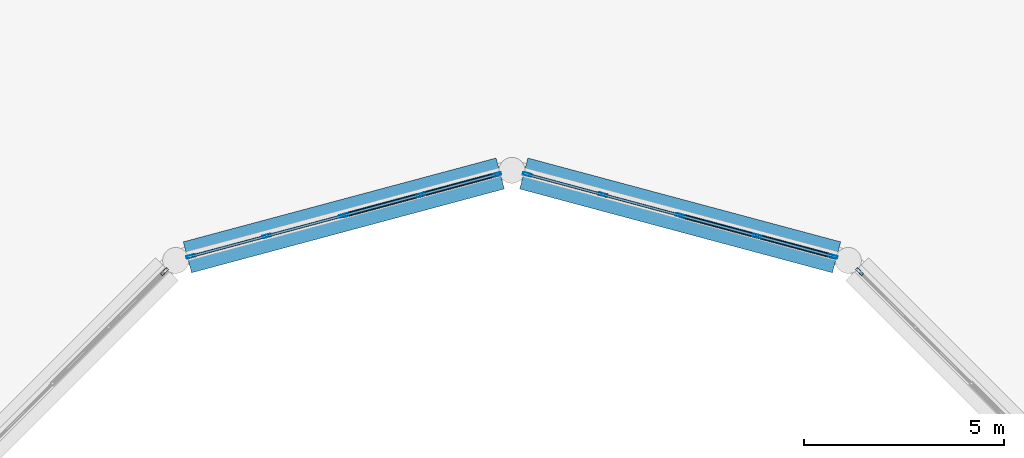
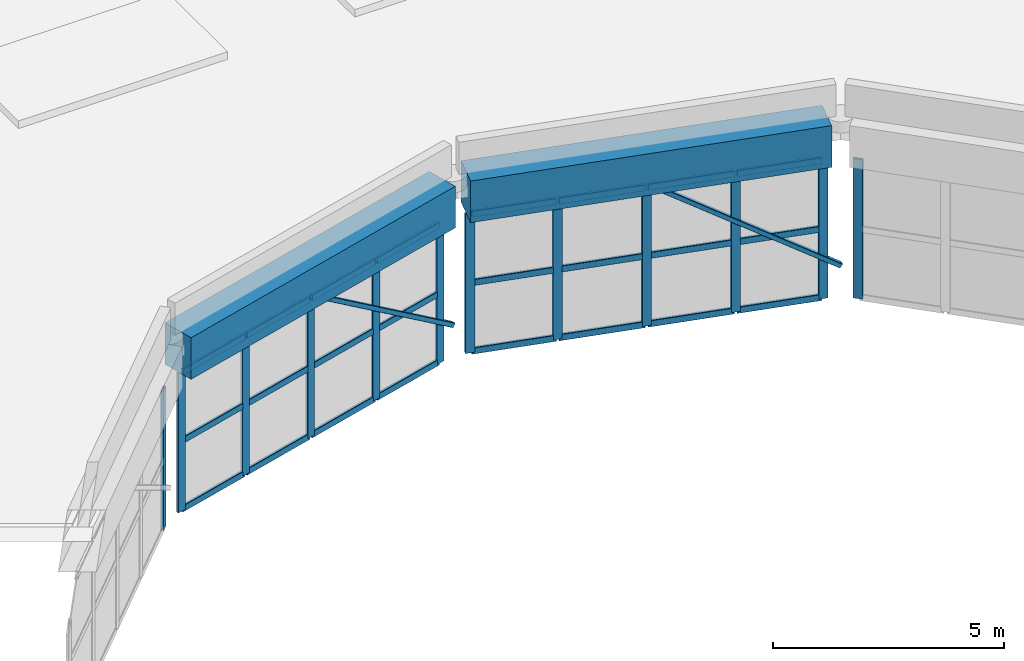
# One storey, part 23 of 48: 38 members, 2 beams, 4 elements without a shape of their own.
"""IFC4 building model written with IfcOpenShell, lengths in metres."""

import ifcopenshell
import ifcopenshell.guid

model = None  # the IFC model being written
_history = None  # IfcOwnerHistory: only IFC2X3 demands one
_inside = {}  # id of a spatial element -> (the spatial element, [elements in it])
_under = {}  # id of a project, library or spatial element -> (it, [spatial elements below it])
_declared = {}  # id of a project -> (the project, [libraries it declares])
_typed = {}  # id of a type object -> (the type object, [elements of that type])
_made_of = {}  # id of a material, layer set ... -> (it, [elements and type objects made of it])


def new_model(schema):
    """Start an empty IFC model of exactly this schema.

    Asked for "IFC4X3", IfcOpenShell would pick the latest addendum, in which some entities
    have other attributes; the version numbers below select the first issue.
    IFC2X3 requires an IfcOwnerHistory on every rooted entity: one is made here for all.
    """
    global model, _history
    if schema == "IFC4X3":
        model = ifcopenshell.file(schema_version=(4, 3, 0, 0))
    else:
        model = ifcopenshell.file(schema=schema)
    _inside.clear()
    _under.clear()
    _declared.clear()
    _typed.clear()
    _made_of.clear()
    _history = None
    if model.schema == "IFC2X3":
        org = make("IfcOrganization", Name="unknown")
        user = make(
            "IfcPersonAndOrganization",
            ThePerson=make("IfcPerson", FamilyName="unknown"),
            TheOrganization=org,
        )
        app = make(
            "IfcApplication",
            ApplicationDeveloper=org,
            Version="unknown",
            ApplicationFullName="unknown",
            ApplicationIdentifier="unknown",
        )
        _history = make(
            "IfcOwnerHistory",
            OwningUser=user,
            OwningApplication=app,
            ChangeAction="ADDED",
            CreationDate=0,
        )
    return model


def make(cls, **values):
    """One entity of the class cls with the attributes given. An attribute that is None is left unset."""
    return model.create_entity(
        cls, **{name: value for name, value in values.items() if value is not None}
    )


def rooted(cls, **values):
    """An entity with a GlobalId (a new one), such as an element, a storey or a relation."""
    return make(cls, GlobalId=ifcopenshell.guid.new(), OwnerHistory=_history, **values)


def si_unit(unit_type, name, prefix=None):
    """IfcSIUnit, for example si_unit("LENGTHUNIT", "METRE", prefix="MILLI")."""
    return make("IfcSIUnit", UnitType=unit_type, Prefix=prefix, Name=name)


def derived_unit(unit_type, elements):
    """IfcDerivedUnit: a product of units, each with its exponent."""
    return make(
        "IfcDerivedUnit",
        Elements=[
            make("IfcDerivedUnitElement", Unit=unit, Exponent=power)
            for unit, power in elements
        ],
        UnitType=unit_type,
    )


def assignment(units):
    """IfcUnitAssignment: the units of a project."""
    return None if units is None else make("IfcUnitAssignment", Units=units)


def point(xyz):
    """IfcCartesianPoint."""
    return None if xyz is None else make("IfcCartesianPoint", Coordinates=xyz)


def direction(xyz):
    """IfcDirection."""
    return None if xyz is None else make("IfcDirection", DirectionRatios=xyz)


def frame(location, z_axis=None, x_axis=None):
    """IfcAxis2Placement3D, a coordinate frame: its origin and axes. An axis left out is left unset."""
    return make(
        "IfcAxis2Placement3D",
        Location=point(location),
        Axis=direction(z_axis),
        RefDirection=direction(x_axis),
    )


def frame_2d(location, x_axis=None):
    """IfcAxis2Placement2D, a coordinate frame in the plane: its origin and x axis."""
    return make(
        "IfcAxis2Placement2D", Location=point(location), RefDirection=direction(x_axis)
    )


def origin():
    """The frame at (0, 0, 0) with its axes left unset."""
    return frame((0.0, 0.0, 0.0))


def origin_2d():
    """The frame at (0, 0) in the plane with its x axis left unset."""
    return frame_2d((0.0, 0.0))


def place(relative_to, where):
    """IfcLocalPlacement: puts the frame where relative to a parent placement (None: the world)."""
    return make(
        "IfcLocalPlacement", PlacementRelTo=relative_to, RelativePlacement=where
    )


def context(
    kind, dimensions, precision=None, world=None, true_north=None, identifier=None
):
    """IfcGeometricRepresentationContext, for example the 3D "Model" context."""
    return make(
        "IfcGeometricRepresentationContext",
        ContextIdentifier=identifier,
        ContextType=kind,
        CoordinateSpaceDimension=dimensions,
        Precision=precision,
        WorldCoordinateSystem=world,
        TrueNorth=true_north,
    )


def subcontext(parent, identifier, kind, view, scale=None):
    """IfcGeometricRepresentationSubContext, for example "Body" below "Model"."""
    return make(
        "IfcGeometricRepresentationSubContext",
        ContextIdentifier=identifier,
        ContextType=kind,
        ParentContext=parent,
        TargetScale=scale,
        TargetView=view,
    )


def project(units=None, contexts=None):
    """IfcProject with its units and contexts."""
    return rooted(
        "IfcProject",
        Name="project",
        RepresentationContexts=contexts,
        UnitsInContext=assignment(units),
    )


def spatial(cls, under=None, at=None, **own):
    """A site, building, storey or space (cls), placed at a placement, below another one or the project."""
    s = rooted(cls, ObjectPlacement=at, **own)
    if under is not None:
        _under.setdefault(under.id(), (under, []))[1].append(s)
    return s


def profile(cls, at=None, kind="AREA", **sizes):
    """A parametric profile (cls). Its sizes go by their IFC names, for example OverallWidth=200.0."""
    return make(cls, ProfileType=kind, Position=at, **sizes)


def rectangle(**sizes):
    """IfcRectangleProfileDef."""
    return profile("IfcRectangleProfileDef", **sizes)


def hollow_rectangle(**sizes):
    """IfcRectangleHollowProfileDef."""
    return profile("IfcRectangleHollowProfileDef", **sizes)


def extrude(swept, where, along, depth):
    """IfcExtrudedAreaSolid: the profile swept, set in the frame where, extruded along a direction by depth."""
    return make(
        "IfcExtrudedAreaSolid",
        SweptArea=swept,
        Position=where,
        ExtrudedDirection=direction(along),
        Depth=depth,
    )


def shape(context_of_items, identifier, shape_type, items):
    """IfcShapeRepresentation: the items that make up one representation, for example the "Body"."""
    return make(
        "IfcShapeRepresentation",
        ContextOfItems=context_of_items,
        RepresentationIdentifier=identifier,
        RepresentationType=shape_type,
        Items=items,
    )


def material(Name=None, Category=None):
    """IfcMaterial."""
    return make("IfcMaterial", Name=Name, Category=Category)


def material_profile(
    of_material, cross_section, Name=None, Category=None, Priority=None
):
    """IfcMaterialProfile: a cross section and its material."""
    return make(
        "IfcMaterialProfile",
        Name=Name,
        Material=of_material,
        Profile=cross_section,
        Priority=Priority,
        Category=Category,
    )


def profile_set(profiles, Name=None, composite=None):
    """IfcMaterialProfileSet."""
    return make(
        "IfcMaterialProfileSet",
        Name=Name,
        MaterialProfiles=profiles,
        CompositeProfile=composite,
    )


def made_of(thing, what):
    """Note that an element or type object is made of a material, layer set ...; save() writes the relation."""
    if what is not None:
        _made_of.setdefault(what.id(), (what, []))[1].append(thing)
    return thing


def type_object(cls, material=None, **own):
    """A type object (cls), such as IfcWallType, which elements share."""
    return made_of(rooted(cls, **own), material)


def element(
    cls,
    number,
    at=None,
    inside=None,
    cuts=None,
    type_object=None,
    material=None,
    context=None,
    identifier="Body",
    shape_type=None,
    held_by="IfcProductDefinitionShape",
    body=None,
    shapes=None,
    **own,
):
    """One element of the class cls, such as IfcWall. Its Tag is "e" and its number.

    at: its placement. inside: the storey or other place that contains it. cuts: it is an
    opening in that element (IfcRelVoidsElement). A single representation is given by context,
    identifier, shape_type and body (its items); several are given by shapes. held_by: the class
    of the entity that holds the representations. save() writes the other relations.
    """
    e = rooted(cls, Tag="e%d" % number, ObjectPlacement=at, **own)
    if body is not None:
        shapes = [shape(context, identifier, shape_type, body)]
    if shapes is not None:
        e.Representation = make(held_by, Representations=shapes)
    if inside is not None:
        _inside.setdefault(inside.id(), (inside, []))[1].append(e)
    if cuts is not None:
        rooted(
            "IfcRelVoidsElement", RelatingBuildingElement=cuts, RelatedOpeningElement=e
        )
    if type_object is not None:
        _typed.setdefault(type_object.id(), (type_object, []))[1].append(e)
    return made_of(e, material)


def aggregate(whole, parts):
    """IfcRelAggregates: a whole, such as a stair, and the parts it consists of."""
    return rooted("IfcRelAggregates", RelatingObject=whole, RelatedObjects=parts)


def save(model, path):
    """Write the relations noted so far, then the file.

    IfcRelAggregates (storeys below a building ...), IfcRelContainedInSpatialStructure (elements
    in a storey), IfcRelDefinesByType, IfcRelAssociatesMaterial and IfcRelDeclares: one each for
    every whole, place, type object, material and project.
    """
    for whole, parts in _under.values():
        aggregate(whole, parts)
    for where, things in _inside.values():
        rooted(
            "IfcRelContainedInSpatialStructure",
            RelatedElements=things,
            RelatingStructure=where,
        )
    for kind, things in _typed.values():
        rooted("IfcRelDefinesByType", RelatedObjects=things, RelatingType=kind)
    for what, things in _made_of.values():
        rooted("IfcRelAssociatesMaterial", RelatedObjects=things, RelatingMaterial=what)
    for by, libraries in _declared.values():
        rooted("IfcRelDeclares", RelatingContext=by, RelatedDefinitions=libraries)
    model.write(path)


model = new_model("IFC4")

# Units and contexts
model_context = context("Model", 3, precision=1e-05, world=origin(), true_north=direction((0.0, 1.0)))
body_context = subcontext(model_context, "Body", "Model", "MODEL_VIEW")
ifc_project = project(units=[si_unit("LENGTHUNIT", "METRE"), si_unit("AREAUNIT", "SQUARE_METRE"), si_unit("VOLUMEUNIT", "CUBIC_METRE"), si_unit("PLANEANGLEUNIT", "RADIAN"), si_unit("MASSUNIT", "GRAM", prefix="KILO"), derived_unit("THERMALTRANSMITTANCEUNIT", [(si_unit("POWERUNIT", "WATT"), 1), (si_unit("LENGTHUNIT", "METRE"), -2), (si_unit("THERMODYNAMICTEMPERATUREUNIT", "KELVIN"), -1)])], contexts=[model_context])

# Site, building, storey
site_placement = place(None, origin())
site = spatial("IfcSite", under=ifc_project, at=site_placement, CompositionType="ELEMENT")
building_placement = place(site_placement, origin())
building = spatial("IfcBuilding", under=site, at=building_placement, Name="Veybourne Emporium", CompositionType="ELEMENT")
storey_placement = place(building_placement, frame((0.0, 0.0, 27.89990234375)))
storey = spatial("IfcBuildingStorey", under=building, at=storey_placement, Name="L06", CompositionType="ELEMENT", Elevation=27.89990234375)

# Curtain wall, member
ifc_material_1 = material(Name="Patinated Architectural Bronze", Category="bronze")
curtain_wall_type_1 = type_object("IfcCurtainWallType", Name="CWSystem_CWS-22", PredefinedType="NOTDEFINED", material=ifc_material_1)
curtain_wall_1_placement = place(storey_placement, origin())
curtain_wall_1 = element("IfcCurtainWall", 1, at=curtain_wall_1_placement, inside=storey, type_object=curtain_wall_type_1, Name="Atrium drum clerestory curtain wall 02", PredefinedType="NOTDEFINED")
ifc_material_profile_1 = material_profile(ifc_material_1, hollow_rectangle(XDim=0.070068359375, YDim=0.219970703125, WallThickness=0.0048828125, InnerFilletRadius=0.007568359375, OuterFilletRadius=0.012451171875, at=origin_2d()), Name="CWM 70x220x5")
ifc_profile_set_1 = profile_set([ifc_material_profile_1], Name="Patinated Architectural Bronze")
member_type_1 = type_object("IfcMemberType", Name="CWMullion_CW-M4", PredefinedType="MULLION", material=ifc_profile_set_1)
member_1_placement = place(storey_placement, frame((84.279296875, 64.669921875, -4.5), z_axis=(0.0, 0.0, 1.0), x_axis=(-0.707106781187, -0.707106781187, 0.0)))
member_1 = element("IfcMember", 2, at=member_1_placement, type_object=member_type_1, Name="CWS-22 mullion 5", PredefinedType="MULLION", context=body_context, shape_type="SweptSolid", body=[
    extrude(hollow_rectangle(XDim=0.070068359375, YDim=0.219970703125, WallThickness=0.0048828125, InnerFilletRadius=0.007568359375, OuterFilletRadius=0.012451171875, at=origin_2d()), origin(), (0.0, 0.0, 1.0), 3.68017578125),
])
aggregate(curtain_wall_1, [member_1])

# Curtain wall, members
curtain_wall_type_2 = type_object("IfcCurtainWallType", Name="CWSystem_CWS-23", PredefinedType="NOTDEFINED", material=ifc_material_1)
curtain_wall_2_placement = place(storey_placement, origin())
curtain_wall_2 = element("IfcCurtainWall", 3, at=curtain_wall_2_placement, inside=storey, type_object=curtain_wall_type_2, Name="Atrium drum clerestory curtain wall 03", PredefinedType="NOTDEFINED")
member_2_placement = place(storey_placement, frame((83.618408203125, 65.051513671875, -4.5), z_axis=(0.0, 0.0, 1.0), x_axis=(-0.258819598266, -0.965925678069, 0.0)))
member_2 = element("IfcMember", 4, at=member_2_placement, type_object=member_type_1, Name="CWS-23 mullion 1", PredefinedType="MULLION", context=body_context, shape_type="SweptSolid", body=[
    extrude(hollow_rectangle(XDim=0.070068359375, YDim=0.219970703125, WallThickness=0.0048828125, InnerFilletRadius=0.007568359375, OuterFilletRadius=0.012451171875, at=origin_2d()), origin(), (0.0, 0.0, 1.0), 3.68017578125),
])
member_3_placement = place(storey_placement, frame((81.72607421875, 65.55859375, -4.5), z_axis=(0.0, 0.0, 1.0), x_axis=(-0.258819598266, -0.965925678069, 0.0)))
member_3 = element("IfcMember", 5, at=member_3_placement, type_object=member_type_1, Name="CWS-23 mullion 2", PredefinedType="MULLION", context=body_context, shape_type="SweptSolid", body=[
    extrude(hollow_rectangle(XDim=0.070068359375, YDim=0.219970703125, WallThickness=0.0048828125, InnerFilletRadius=0.007568359375, OuterFilletRadius=0.012451171875, at=origin_2d()), origin(), (0.0, 0.0, 1.0), 3.68017578125),
])
member_4_placement = place(storey_placement, frame((79.800048828125, 66.07470703125, -4.5), z_axis=(0.0, 0.0, 1.0), x_axis=(-0.258819598266, -0.965925678069, 0.0)))
member_4 = element("IfcMember", 6, at=member_4_placement, type_object=member_type_1, Name="CWS-23 mullion 3", PredefinedType="MULLION", context=body_context, shape_type="SweptSolid", body=[
    extrude(hollow_rectangle(XDim=0.070068359375, YDim=0.219970703125, WallThickness=0.0048828125, InnerFilletRadius=0.007568359375, OuterFilletRadius=0.012451171875, at=origin_2d()), origin(), (0.0, 0.0, 1.0), 3.68017578125),
])
member_5_placement = place(storey_placement, frame((77.873779296875, 66.5908203125, -4.5), z_axis=(0.0, 0.0, 1.0), x_axis=(-0.258819598266, -0.965925678069, 0.0)))
member_5 = element("IfcMember", 7, at=member_5_placement, type_object=member_type_1, Name="CWS-23 mullion 4", PredefinedType="MULLION", context=body_context, shape_type="SweptSolid", body=[
    extrude(hollow_rectangle(XDim=0.070068359375, YDim=0.219970703125, WallThickness=0.0048828125, InnerFilletRadius=0.007568359375, OuterFilletRadius=0.012451171875, at=origin_2d()), origin(), (0.0, 0.0, 1.0), 3.68017578125),
])
member_6_placement = place(storey_placement, frame((75.9814453125, 67.09765625, -4.5), z_axis=(0.0, 0.0, 1.0), x_axis=(-0.258819598266, -0.965925678069, 0.0)))
member_6 = element("IfcMember", 8, at=member_6_placement, type_object=member_type_1, Name="CWS-23 mullion 5", PredefinedType="MULLION", context=body_context, shape_type="SweptSolid", body=[
    extrude(hollow_rectangle(XDim=0.070068359375, YDim=0.219970703125, WallThickness=0.0048828125, InnerFilletRadius=0.007568359375, OuterFilletRadius=0.012451171875, at=origin_2d()), origin(), (0.0, 0.0, 1.0), 3.68017578125),
])

curtain_wall_type_3 = type_object("IfcCurtainWallType", Name="CWSystem_CWS-24", PredefinedType="NOTDEFINED", material=ifc_material_1)
curtain_wall_3_placement = place(storey_placement, origin())
curtain_wall_3 = element("IfcCurtainWall", 9, at=curtain_wall_3_placement, inside=storey, type_object=curtain_wall_type_3, Name="Atrium drum clerestory curtain wall 04", PredefinedType="NOTDEFINED")
member_7_placement = place(storey_placement, frame((75.218505859375, 67.09765625, -4.5), z_axis=(0.0, 0.0, 1.0), x_axis=(0.258819598266, -0.965925678069, 0.0)))
member_7 = element("IfcMember", 10, at=member_7_placement, type_object=member_type_1, Name="CWS-24 mullion 1", PredefinedType="MULLION", context=body_context, shape_type="SweptSolid", body=[
    extrude(hollow_rectangle(XDim=0.070068359375, YDim=0.219970703125, WallThickness=0.0048828125, InnerFilletRadius=0.007568359375, OuterFilletRadius=0.012451171875, at=origin_2d()), origin(), (0.0, 0.0, 1.0), 3.68017578125),
])
member_8_placement = place(storey_placement, frame((73.326171875, 66.5908203125, -4.5), z_axis=(0.0, 0.0, 1.0), x_axis=(0.258819598266, -0.965925678069, 0.0)))
member_8 = element("IfcMember", 11, at=member_8_placement, type_object=member_type_1, Name="CWS-24 mullion 2", PredefinedType="MULLION", context=body_context, shape_type="SweptSolid", body=[
    extrude(hollow_rectangle(XDim=0.070068359375, YDim=0.219970703125, WallThickness=0.0048828125, InnerFilletRadius=0.007568359375, OuterFilletRadius=0.012451171875, at=origin_2d()), origin(), (0.0, 0.0, 1.0), 3.68017578125),
])
member_9_placement = place(storey_placement, frame((71.39990234375, 66.07470703125, -4.5), z_axis=(0.0, 0.0, 1.0), x_axis=(0.258819598266, -0.965925678069, 0.0)))
member_9 = element("IfcMember", 12, at=member_9_placement, type_object=member_type_1, Name="CWS-24 mullion 3", PredefinedType="MULLION", context=body_context, shape_type="SweptSolid", body=[
    extrude(hollow_rectangle(XDim=0.070068359375, YDim=0.219970703125, WallThickness=0.0048828125, InnerFilletRadius=0.007568359375, OuterFilletRadius=0.012451171875, at=origin_2d()), origin(), (0.0, 0.0, 1.0), 3.68017578125),
])
member_10_placement = place(storey_placement, frame((69.473876953125, 65.55859375, -4.5), z_axis=(0.0, 0.0, 1.0), x_axis=(0.258819598266, -0.965925678069, 0.0)))
member_10 = element("IfcMember", 13, at=member_10_placement, type_object=member_type_1, Name="CWS-24 mullion 4", PredefinedType="MULLION", context=body_context, shape_type="SweptSolid", body=[
    extrude(hollow_rectangle(XDim=0.070068359375, YDim=0.219970703125, WallThickness=0.0048828125, InnerFilletRadius=0.007568359375, OuterFilletRadius=0.012451171875, at=origin_2d()), origin(), (0.0, 0.0, 1.0), 3.68017578125),
])
member_11_placement = place(storey_placement, frame((67.58154296875, 65.051513671875, -4.5), z_axis=(0.0, 0.0, 1.0), x_axis=(0.258819598266, -0.965925678069, 0.0)))
member_11 = element("IfcMember", 14, at=member_11_placement, type_object=member_type_1, Name="CWS-24 mullion 5", PredefinedType="MULLION", context=body_context, shape_type="SweptSolid", body=[
    extrude(hollow_rectangle(XDim=0.070068359375, YDim=0.219970703125, WallThickness=0.0048828125, InnerFilletRadius=0.007568359375, OuterFilletRadius=0.012451171875, at=origin_2d()), origin(), (0.0, 0.0, 1.0), 3.68017578125),
])

# Curtain wall, member
curtain_wall_type_4 = type_object("IfcCurtainWallType", Name="CWSystem_CWS-25", PredefinedType="NOTDEFINED", material=ifc_material_1)
curtain_wall_4_placement = place(storey_placement, origin())
curtain_wall_4 = element("IfcCurtainWall", 15, at=curtain_wall_4_placement, inside=storey, type_object=curtain_wall_type_4, Name="Atrium drum clerestory curtain wall 05", PredefinedType="NOTDEFINED")
member_12_placement = place(storey_placement, frame((66.920654296875, 64.669921875, -4.5), z_axis=(0.0, 0.0, 1.0), x_axis=(0.707106781187, -0.707106781187, 0.0)))
member_12 = element("IfcMember", 16, at=member_12_placement, type_object=member_type_1, Name="CWS-25 mullion 1", PredefinedType="MULLION", context=body_context, shape_type="SweptSolid", body=[
    extrude(hollow_rectangle(XDim=0.070068359375, YDim=0.219970703125, WallThickness=0.0048828125, InnerFilletRadius=0.007568359375, OuterFilletRadius=0.012451171875, at=origin_2d()), origin(), (0.0, 0.0, 1.0), 3.68017578125),
])
aggregate(curtain_wall_4, [member_12])

# Member
ifc_material_profile_2 = material_profile(ifc_material_1, hollow_rectangle(XDim=0.070068359375, YDim=0.169921875, WallThickness=0.0048828125, InnerFilletRadius=0.007568359375, OuterFilletRadius=0.012451171875, at=origin_2d()), Name="CWT 70x170x5")
ifc_profile_set_2 = profile_set([ifc_material_profile_2], Name="Patinated Architectural Bronze")
member_type_2 = type_object("IfcMemberType", Name="CWTransom_CW-T4", PredefinedType="NOTDEFINED", material=ifc_profile_set_2)
member_13_placement = place(storey_placement, frame((83.584716796875, 65.060546875, -4.46484375), z_axis=(-0.965914590329, 0.258860974636, 0.0), x_axis=(-0.258860974636, -0.965914590329, 0.0)))
member_13 = element("IfcMember", 17, at=member_13_placement, type_object=member_type_2, Name="CWS-23 transom 1.1", ObjectType="TRANSOM", PredefinedType="USERDEFINED", context=body_context, shape_type="SweptSolid", body=[
    extrude(hollow_rectangle(XDim=0.070068359375, YDim=0.169921875, WallThickness=0.0048828125, InnerFilletRadius=0.007568359375, OuterFilletRadius=0.012451171875, at=origin_2d()), origin(), (0.0, 0.0, 1.0), 1.88916015625),
])

member_14_placement = place(storey_placement, frame((83.584716796875, 65.060546875, -2.659912109375), z_axis=(-0.965914590329, 0.258860974636, 0.0), x_axis=(-0.258860974636, -0.965914590329, 0.0)))
member_14 = element("IfcMember", 18, at=member_14_placement, type_object=member_type_2, Name="CWS-23 transom 1.2", ObjectType="TRANSOM", PredefinedType="USERDEFINED", context=body_context, shape_type="SweptSolid", body=[
    extrude(hollow_rectangle(XDim=0.070068359375, YDim=0.169921875, WallThickness=0.0048828125, InnerFilletRadius=0.007568359375, OuterFilletRadius=0.012451171875, at=origin_2d()), origin(), (0.0, 0.0, 1.0), 1.88916015625),
])

member_15_placement = place(storey_placement, frame((83.584716796875, 65.060546875, -0.85498046875), z_axis=(-0.965914590329, 0.258860974636, 0.0), x_axis=(-0.258860974636, -0.965914590329, 0.0)))
member_15 = element("IfcMember", 19, at=member_15_placement, type_object=member_type_2, Name="CWS-23 transom 1.3", ObjectType="TRANSOM", PredefinedType="USERDEFINED", context=body_context, shape_type="SweptSolid", body=[
    extrude(hollow_rectangle(XDim=0.070068359375, YDim=0.169921875, WallThickness=0.0048828125, InnerFilletRadius=0.007568359375, OuterFilletRadius=0.012451171875, at=origin_2d()), origin(), (0.0, 0.0, 1.0), 1.88916015625),
])

member_16_placement = place(storey_placement, frame((81.6923828125, 65.567626953125, -4.46484375), z_axis=(-0.965922565509, 0.258831214191, 0.0), x_axis=(-0.258831214191, -0.965922565509, 0.0)))
member_16 = element("IfcMember", 20, at=member_16_placement, type_object=member_type_2, Name="CWS-23 transom 2.1", ObjectType="TRANSOM", PredefinedType="USERDEFINED", context=body_context, shape_type="SweptSolid", body=[
    extrude(hollow_rectangle(XDim=0.070068359375, YDim=0.169921875, WallThickness=0.0048828125, InnerFilletRadius=0.007568359375, OuterFilletRadius=0.012451171875, at=origin_2d()), origin(), (0.0, 0.0, 1.0), 1.92431640625),
])

member_17_placement = place(storey_placement, frame((81.6923828125, 65.567626953125, -2.659912109375), z_axis=(-0.965922565509, 0.258831214191, 0.0), x_axis=(-0.258831214191, -0.965922565509, 0.0)))
member_17 = element("IfcMember", 21, at=member_17_placement, type_object=member_type_2, Name="CWS-23 transom 2.2", ObjectType="TRANSOM", PredefinedType="USERDEFINED", context=body_context, shape_type="SweptSolid", body=[
    extrude(hollow_rectangle(XDim=0.070068359375, YDim=0.169921875, WallThickness=0.0048828125, InnerFilletRadius=0.007568359375, OuterFilletRadius=0.012451171875, at=origin_2d()), origin(), (0.0, 0.0, 1.0), 1.92431640625),
])

member_18_placement = place(storey_placement, frame((81.6923828125, 65.567626953125, -0.85498046875), z_axis=(-0.965922565509, 0.258831214191, 0.0), x_axis=(-0.258831214191, -0.965922565509, 0.0)))
member_18 = element("IfcMember", 22, at=member_18_placement, type_object=member_type_2, Name="CWS-23 transom 2.3", ObjectType="TRANSOM", PredefinedType="USERDEFINED", context=body_context, shape_type="SweptSolid", body=[
    extrude(hollow_rectangle(XDim=0.070068359375, YDim=0.169921875, WallThickness=0.0048828125, InnerFilletRadius=0.007568359375, OuterFilletRadius=0.012451171875, at=origin_2d()), origin(), (0.0, 0.0, 1.0), 1.92431640625),
])

member_19_placement = place(storey_placement, frame((79.76611328125, 66.083740234375, -4.46484375), z_axis=(-0.965945786109, 0.258744542548, 0.0), x_axis=(-0.258744542548, -0.965945786109, 0.0)))
member_19 = element("IfcMember", 23, at=member_19_placement, type_object=member_type_2, Name="CWS-23 transom 3.1", ObjectType="TRANSOM", PredefinedType="USERDEFINED", context=body_context, shape_type="SweptSolid", body=[
    extrude(hollow_rectangle(XDim=0.070068359375, YDim=0.169921875, WallThickness=0.0048828125, InnerFilletRadius=0.007568359375, OuterFilletRadius=0.012451171875, at=origin_2d()), origin(), (0.0, 0.0, 1.0), 1.923828125),
])

member_20_placement = place(storey_placement, frame((79.76611328125, 66.083740234375, -2.659912109375), z_axis=(-0.965945786109, 0.258744542548, 0.0), x_axis=(-0.258744542548, -0.965945786109, 0.0)))
member_20 = element("IfcMember", 24, at=member_20_placement, type_object=member_type_2, Name="CWS-23 transom 3.2", ObjectType="TRANSOM", PredefinedType="USERDEFINED", context=body_context, shape_type="SweptSolid", body=[
    extrude(hollow_rectangle(XDim=0.070068359375, YDim=0.169921875, WallThickness=0.0048828125, InnerFilletRadius=0.007568359375, OuterFilletRadius=0.012451171875, at=origin_2d()), origin(), (0.0, 0.0, 1.0), 1.923828125),
])

member_21_placement = place(storey_placement, frame((79.76611328125, 66.083740234375, -0.85498046875), z_axis=(-0.965945786109, 0.258744542548, 0.0), x_axis=(-0.258744542548, -0.965945786109, 0.0)))
member_21 = element("IfcMember", 25, at=member_21_placement, type_object=member_type_2, Name="CWS-23 transom 3.3", ObjectType="TRANSOM", PredefinedType="USERDEFINED", context=body_context, shape_type="SweptSolid", body=[
    extrude(hollow_rectangle(XDim=0.070068359375, YDim=0.169921875, WallThickness=0.0048828125, InnerFilletRadius=0.007568359375, OuterFilletRadius=0.012451171875, at=origin_2d()), origin(), (0.0, 0.0, 1.0), 1.923828125),
])

member_22_placement = place(storey_placement, frame((77.840087890625, 66.599853515625, -4.46484375), z_axis=(-0.9659468979, 0.258740391972, 0.0), x_axis=(-0.258740391972, -0.9659468979, 0.0)))
member_22 = element("IfcMember", 26, at=member_22_placement, type_object=member_type_2, Name="CWS-23 transom 4.1", ObjectType="TRANSOM", PredefinedType="USERDEFINED", context=body_context, shape_type="SweptSolid", body=[
    extrude(hollow_rectangle(XDim=0.070068359375, YDim=0.169921875, WallThickness=0.0048828125, InnerFilletRadius=0.007568359375, OuterFilletRadius=0.012451171875, at=origin_2d()), origin(), (0.0, 0.0, 1.0), 1.888916015625),
])

member_23_placement = place(storey_placement, frame((77.840087890625, 66.599853515625, -2.659912109375), z_axis=(-0.9659468979, 0.258740391972, 0.0), x_axis=(-0.258740391972, -0.9659468979, 0.0)))
member_23 = element("IfcMember", 27, at=member_23_placement, type_object=member_type_2, Name="CWS-23 transom 4.2", ObjectType="TRANSOM", PredefinedType="USERDEFINED", context=body_context, shape_type="SweptSolid", body=[
    extrude(hollow_rectangle(XDim=0.070068359375, YDim=0.169921875, WallThickness=0.0048828125, InnerFilletRadius=0.007568359375, OuterFilletRadius=0.012451171875, at=origin_2d()), origin(), (0.0, 0.0, 1.0), 1.888916015625),
])

member_24_placement = place(storey_placement, frame((77.840087890625, 66.599853515625, -0.85498046875), z_axis=(-0.9659468979, 0.258740391972, 0.0), x_axis=(-0.258740391972, -0.9659468979, 0.0)))
member_24 = element("IfcMember", 28, at=member_24_placement, type_object=member_type_2, Name="CWS-23 transom 4.3", ObjectType="TRANSOM", PredefinedType="USERDEFINED", context=body_context, shape_type="SweptSolid", body=[
    extrude(hollow_rectangle(XDim=0.070068359375, YDim=0.169921875, WallThickness=0.0048828125, InnerFilletRadius=0.007568359375, OuterFilletRadius=0.012451171875, at=origin_2d()), origin(), (0.0, 0.0, 1.0), 1.888916015625),
])

aggregate(curtain_wall_2, [member_2, member_3, member_4, member_5, member_6, member_13, member_14, member_15, member_16, member_17, member_18, member_19, member_20, member_21, member_22, member_23, member_24])

member_25_placement = place(storey_placement, frame((75.1845703125, 67.088623046875, -4.46484375), z_axis=(-0.9659468979, -0.258740391972, 0.0), x_axis=(0.258740391972, -0.9659468979, 0.0)))
member_25 = element("IfcMember", 29, at=member_25_placement, type_object=member_type_2, Name="CWS-24 transom 1.1", ObjectType="TRANSOM", PredefinedType="USERDEFINED", context=body_context, shape_type="SweptSolid", body=[
    extrude(hollow_rectangle(XDim=0.070068359375, YDim=0.169921875, WallThickness=0.0048828125, InnerFilletRadius=0.007568359375, OuterFilletRadius=0.012451171875, at=origin_2d()), origin(), (0.0, 0.0, 1.0), 1.888916015625),
])

member_26_placement = place(storey_placement, frame((75.1845703125, 67.088623046875, -2.659912109375), z_axis=(-0.9659468979, -0.258740391972, 0.0), x_axis=(0.258740391972, -0.9659468979, 0.0)))
member_26 = element("IfcMember", 30, at=member_26_placement, type_object=member_type_2, Name="CWS-24 transom 1.2", ObjectType="TRANSOM", PredefinedType="USERDEFINED", context=body_context, shape_type="SweptSolid", body=[
    extrude(hollow_rectangle(XDim=0.070068359375, YDim=0.169921875, WallThickness=0.0048828125, InnerFilletRadius=0.007568359375, OuterFilletRadius=0.012451171875, at=origin_2d()), origin(), (0.0, 0.0, 1.0), 1.888916015625),
])

member_27_placement = place(storey_placement, frame((75.1845703125, 67.088623046875, -0.85498046875), z_axis=(-0.9659468979, -0.258740391972, 0.0), x_axis=(0.258740391972, -0.9659468979, 0.0)))
member_27 = element("IfcMember", 31, at=member_27_placement, type_object=member_type_2, Name="CWS-24 transom 1.3", ObjectType="TRANSOM", PredefinedType="USERDEFINED", context=body_context, shape_type="SweptSolid", body=[
    extrude(hollow_rectangle(XDim=0.070068359375, YDim=0.169921875, WallThickness=0.0048828125, InnerFilletRadius=0.007568359375, OuterFilletRadius=0.012451171875, at=origin_2d()), origin(), (0.0, 0.0, 1.0), 1.888916015625),
])

member_28_placement = place(storey_placement, frame((73.292236328125, 66.58154296875, -4.46484375), z_axis=(-0.965945786109, -0.258744542548, 0.0), x_axis=(0.258744542548, -0.965945786109, 0.0)))
member_28 = element("IfcMember", 32, at=member_28_placement, type_object=member_type_2, Name="CWS-24 transom 2.1", ObjectType="TRANSOM", PredefinedType="USERDEFINED", context=body_context, shape_type="SweptSolid", body=[
    extrude(hollow_rectangle(XDim=0.070068359375, YDim=0.169921875, WallThickness=0.0048828125, InnerFilletRadius=0.007568359375, OuterFilletRadius=0.012451171875, at=origin_2d()), origin(), (0.0, 0.0, 1.0), 1.923828125),
])

member_29_placement = place(storey_placement, frame((73.292236328125, 66.58154296875, -2.659912109375), z_axis=(-0.965945786109, -0.258744542548, 0.0), x_axis=(0.258744542548, -0.965945786109, 0.0)))
member_29 = element("IfcMember", 33, at=member_29_placement, type_object=member_type_2, Name="CWS-24 transom 2.2", ObjectType="TRANSOM", PredefinedType="USERDEFINED", context=body_context, shape_type="SweptSolid", body=[
    extrude(hollow_rectangle(XDim=0.070068359375, YDim=0.169921875, WallThickness=0.0048828125, InnerFilletRadius=0.007568359375, OuterFilletRadius=0.012451171875, at=origin_2d()), origin(), (0.0, 0.0, 1.0), 1.923828125),
])

member_30_placement = place(storey_placement, frame((73.292236328125, 66.58154296875, -0.85498046875), z_axis=(-0.965945786109, -0.258744542548, 0.0), x_axis=(0.258744542548, -0.965945786109, 0.0)))
member_30 = element("IfcMember", 34, at=member_30_placement, type_object=member_type_2, Name="CWS-24 transom 2.3", ObjectType="TRANSOM", PredefinedType="USERDEFINED", context=body_context, shape_type="SweptSolid", body=[
    extrude(hollow_rectangle(XDim=0.070068359375, YDim=0.169921875, WallThickness=0.0048828125, InnerFilletRadius=0.007568359375, OuterFilletRadius=0.012451171875, at=origin_2d()), origin(), (0.0, 0.0, 1.0), 1.923828125),
])

member_31_placement = place(storey_placement, frame((71.3662109375, 66.065673828125, -4.46484375), z_axis=(-0.965922565509, -0.258831214191, 0.0), x_axis=(0.258831214191, -0.965922565509, 0.0)))
member_31 = element("IfcMember", 35, at=member_31_placement, type_object=member_type_2, Name="CWS-24 transom 3.1", ObjectType="TRANSOM", PredefinedType="USERDEFINED", context=body_context, shape_type="SweptSolid", body=[
    extrude(hollow_rectangle(XDim=0.070068359375, YDim=0.169921875, WallThickness=0.0048828125, InnerFilletRadius=0.007568359375, OuterFilletRadius=0.012451171875, at=origin_2d()), origin(), (0.0, 0.0, 1.0), 1.92431640625),
])

member_32_placement = place(storey_placement, frame((71.3662109375, 66.065673828125, -2.659912109375), z_axis=(-0.965922565509, -0.258831214191, 0.0), x_axis=(0.258831214191, -0.965922565509, 0.0)))
member_32 = element("IfcMember", 36, at=member_32_placement, type_object=member_type_2, Name="CWS-24 transom 3.2", ObjectType="TRANSOM", PredefinedType="USERDEFINED", context=body_context, shape_type="SweptSolid", body=[
    extrude(hollow_rectangle(XDim=0.070068359375, YDim=0.169921875, WallThickness=0.0048828125, InnerFilletRadius=0.007568359375, OuterFilletRadius=0.012451171875, at=origin_2d()), origin(), (0.0, 0.0, 1.0), 1.92431640625),
])

member_33_placement = place(storey_placement, frame((71.3662109375, 66.065673828125, -0.85498046875), z_axis=(-0.965922565509, -0.258831214191, 0.0), x_axis=(0.258831214191, -0.965922565509, 0.0)))
member_33 = element("IfcMember", 37, at=member_33_placement, type_object=member_type_2, Name="CWS-24 transom 3.3", ObjectType="TRANSOM", PredefinedType="USERDEFINED", context=body_context, shape_type="SweptSolid", body=[
    extrude(hollow_rectangle(XDim=0.070068359375, YDim=0.169921875, WallThickness=0.0048828125, InnerFilletRadius=0.007568359375, OuterFilletRadius=0.012451171875, at=origin_2d()), origin(), (0.0, 0.0, 1.0), 1.92431640625),
])

member_34_placement = place(storey_placement, frame((69.43994140625, 65.549560546875, -4.46484375), z_axis=(-0.965914590329, -0.258860974636, 0.0), x_axis=(0.258860974636, -0.965914590329, 0.0)))
member_34 = element("IfcMember", 38, at=member_34_placement, type_object=member_type_2, Name="CWS-24 transom 4.1", ObjectType="TRANSOM", PredefinedType="USERDEFINED", context=body_context, shape_type="SweptSolid", body=[
    extrude(hollow_rectangle(XDim=0.070068359375, YDim=0.169921875, WallThickness=0.0048828125, InnerFilletRadius=0.007568359375, OuterFilletRadius=0.012451171875, at=origin_2d()), origin(), (0.0, 0.0, 1.0), 1.88916015625),
])

member_35_placement = place(storey_placement, frame((69.43994140625, 65.549560546875, -2.659912109375), z_axis=(-0.965914590329, -0.258860974636, 0.0), x_axis=(0.258860974636, -0.965914590329, 0.0)))
member_35 = element("IfcMember", 39, at=member_35_placement, type_object=member_type_2, Name="CWS-24 transom 4.2", ObjectType="TRANSOM", PredefinedType="USERDEFINED", context=body_context, shape_type="SweptSolid", body=[
    extrude(hollow_rectangle(XDim=0.070068359375, YDim=0.169921875, WallThickness=0.0048828125, InnerFilletRadius=0.007568359375, OuterFilletRadius=0.012451171875, at=origin_2d()), origin(), (0.0, 0.0, 1.0), 1.88916015625),
])

member_36_placement = place(storey_placement, frame((69.43994140625, 65.549560546875, -0.85498046875), z_axis=(-0.965914590329, -0.258860974636, 0.0), x_axis=(0.258860974636, -0.965914590329, 0.0)))
member_36 = element("IfcMember", 40, at=member_36_placement, type_object=member_type_2, Name="CWS-24 transom 4.3", ObjectType="TRANSOM", PredefinedType="USERDEFINED", context=body_context, shape_type="SweptSolid", body=[
    extrude(hollow_rectangle(XDim=0.070068359375, YDim=0.169921875, WallThickness=0.0048828125, InnerFilletRadius=0.007568359375, OuterFilletRadius=0.012451171875, at=origin_2d()), origin(), (0.0, 0.0, 1.0), 1.88916015625),
])

aggregate(curtain_wall_3, [member_7, member_8, member_9, member_10, member_11, member_25, member_26, member_27, member_28, member_29, member_30, member_31, member_32, member_33, member_34, member_35, member_36])

# Beams
ifc_material_2 = material(Name="Concrete C40/50", Category="concrete")
ifc_material_profile_3 = material_profile(ifc_material_2, rectangle(XDim=0.800048828125, YDim=1.10009765625, at=origin_2d()), Name="RC 800x1100")
ifc_profile_set_3 = profile_set([ifc_material_profile_3], Name="Concrete C40/50")
beam_type = type_object("IfcBeamType", Name="RCBeam_RB-01", PredefinedType="BEAM", material=ifc_profile_set_3)
for number, where, z_axis, x_axis, name in (
    (41, (83.705322265625, 65.028076171875, -0.25), (-0.965922041007, 0.258833171555, 0.0), (-0.258833171555, -0.965922041007, 0.0), "Atrium ring beam RB-01 L06-03"),
    (42, (75.305419921875, 67.12109375, -0.25), (-0.965922041007, -0.258833171555, 0.0), (0.258833171555, -0.965922041007, 0.0), "Atrium ring beam RB-01 L06-04"),
):
    element("IfcBeam", number, at=place(storey_placement, frame(where, z_axis=z_axis, x_axis=x_axis)), inside=storey, type_object=beam_type, Name=name, PredefinedType="BEAM", context=body_context, shape_type="SweptSolid", body=[
        extrude(rectangle(XDim=0.800048828125, YDim=1.10009765625, at=origin_2d()), origin(), (0.0, 0.0, 1.0), 8.08642578125),
    ])

# Members
ifc_material_3 = material(Name="Steel S355", Category="steel")
ifc_material_profile_4 = material_profile(ifc_material_3, hollow_rectangle(XDim=0.1201171875, YDim=0.1201171875, WallThickness=0.00634765625, InnerFilletRadius=0.009521484375, OuterFilletRadius=0.015869140625, at=origin_2d()), Name="SHS 120x120x6.3")
ifc_profile_set_4 = profile_set([ifc_material_profile_4], Name="Steel S355")
member_type_3 = type_object("IfcMemberType", Name="SteelMem_CS-02", PredefinedType="STRUT", material=ifc_profile_set_4)
member_37_placement = place(storey_placement, frame((84.0, 64.94921875, -3.699951171875), z_axis=(-0.799323596826, 0.214199952413, 0.561426903473), x_axis=(-0.258843669177, -0.965919227952, 0.0)))
element("IfcMember", 43, at=member_37_placement, inside=storey, type_object=member_type_3, Name="Drum clerestory diagonal strut 03", PredefinedType="STRUT", context=body_context, shape_type="SweptSolid", body=[
    extrude(hollow_rectangle(XDim=0.1201171875, YDim=0.1201171875, WallThickness=0.00634765625, InnerFilletRadius=0.009521484375, OuterFilletRadius=0.015869140625, at=origin_2d()), origin(), (0.0, 0.0, 1.0), 5.25439453125),
])
member_38_placement = place(storey_placement, frame((75.60009765625, 67.199951171875, -3.699951171875), z_axis=(-0.79934832747, -0.214147665735, 0.561411639201), x_axis=(0.258777246525, -0.965937025215, 0.0)))
element("IfcMember", 44, at=member_38_placement, inside=storey, type_object=member_type_3, Name="Drum clerestory diagonal strut 04", PredefinedType="STRUT", context=body_context, shape_type="SweptSolid", body=[
    extrude(hollow_rectangle(XDim=0.1201171875, YDim=0.1201171875, WallThickness=0.00634765625, InnerFilletRadius=0.009521484375, OuterFilletRadius=0.015869140625, at=origin_2d()), origin(), (0.0, 0.0, 1.0), 5.254638671875),
])

save(model, "model.ifc")
